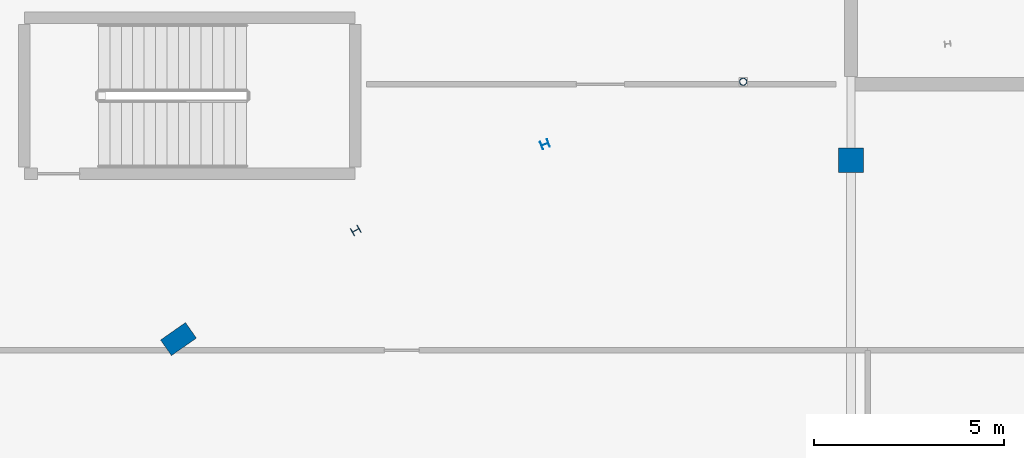
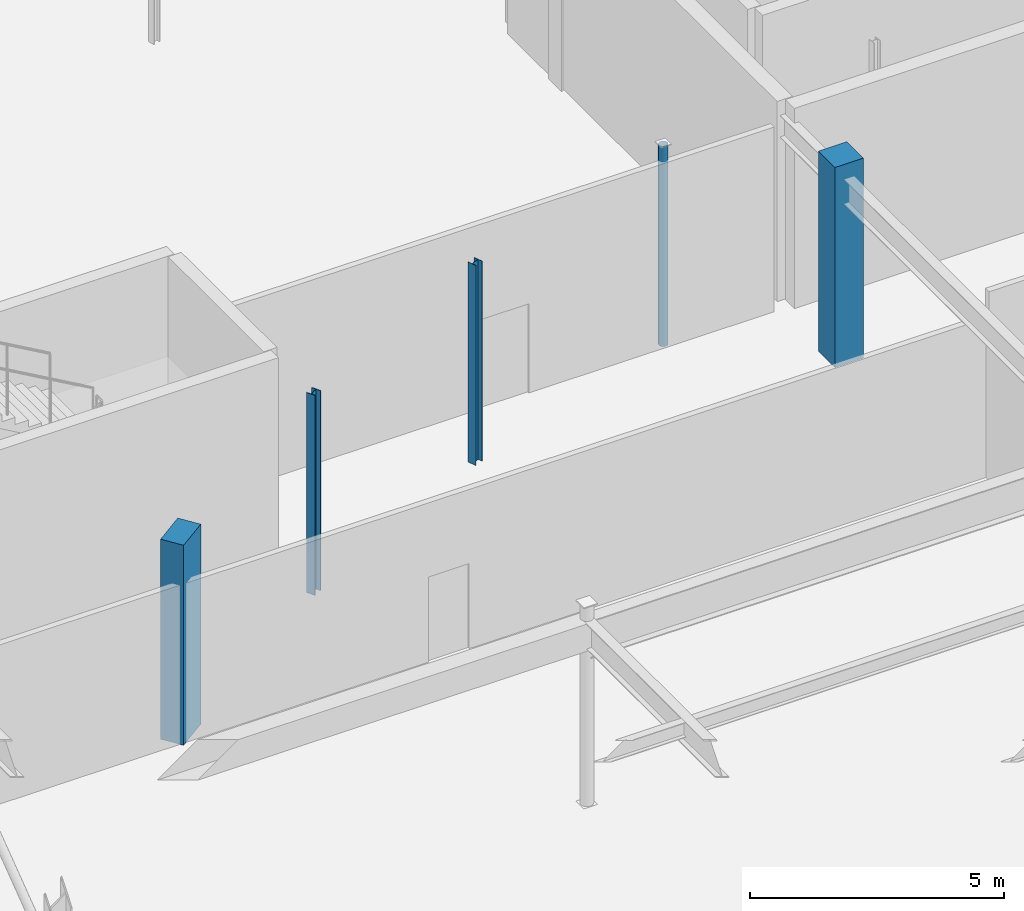
# One storey, part 30 of 226: 5 columns.
"""IFC4 building model written with IfcOpenShell, lengths in metres."""

from ifc_helpers import new_model, si_unit, direction, frame, origin, origin_2d, place, context, subcontext, project, spatial, rectangle, hollow_circle, i_section, extrude, material, material_profile, profile_set, type_object, element, save


model = new_model("IFC4")

# Units and contexts
model_context = context("Model", 3, precision=1e-05, world=origin(), true_north=direction((0.0, 1.0)))
body_context = subcontext(model_context, "Body", "Model", "MODEL_VIEW")
ifc_project = project(units=[si_unit("LENGTHUNIT", "METRE"), si_unit("AREAUNIT", "SQUARE_METRE"), si_unit("VOLUMEUNIT", "CUBIC_METRE"), si_unit("PLANEANGLEUNIT", "RADIAN"), si_unit("MASSUNIT", "GRAM", prefix="KILO")], contexts=[model_context])

# Site, building, storey
site_placement = place(None, origin())
site = spatial("IfcSite", under=ifc_project, at=site_placement, CompositionType="ELEMENT")
building_placement = place(site_placement, origin())
building = spatial("IfcBuilding", under=site, at=building_placement, Name="Tarnwether General Hospital", CompositionType="ELEMENT")
storey_placement = place(building_placement, frame((0.0, 0.0, 4.800048828125)))
storey = spatial("IfcBuildingStorey", under=building, at=storey_placement, Name="L01", CompositionType="ELEMENT", Elevation=4.800048828125)

# Columns
ifc_material_1 = material(Name="Concrete 50 MPa", Category="concrete")
ifc_material_profile_1 = material_profile(ifc_material_1, rectangle(XDim=0.5, YDim=0.800048828125, at=origin_2d()), Name="RC-PIL-500x800")
ifc_profile_set_1 = profile_set([ifc_material_profile_1], Name="Concrete 50 MPa")
column_type_1 = type_object("IfcColumnType", Name="COL-23", PredefinedType="PILASTER", material=ifc_profile_set_1)
column_1_placement = place(storey_placement, frame((66.303955078125, 99.697998046875, 0.0), z_axis=(0.0, 0.0, 1.0), x_axis=(-0.573576436351, 0.819152044289, 0.0)))
element("IfcColumn", 1, at=column_1_placement, inside=storey, type_object=column_type_1, Name="Column COLG-L01-6630_9970", PredefinedType="PILASTER", context=body_context, shape_type="SweptSolid", body=[
    extrude(rectangle(XDim=0.5, YDim=0.800048828125, at=origin_2d()), origin(), (0.0, 0.0, 1.0), 4.800048828125),
])
ifc_material_2 = material(Name="Steel Grade 350 (350 MPa)", Category="steel")
ifc_material_profile_2 = material_profile(ifc_material_2, i_section(OverallWidth=0.205078125, OverallDepth=0.2099609375, WebThickness=0.00927734375, FlangeThickness=0.01416015625, at=origin_2d()), Name="200UC59.5")
ifc_profile_set_2 = profile_set([ifc_material_profile_2], Name="Steel Grade 350 (350 MPa)")
column_type_2 = type_object("IfcColumnType", Name="COL-25", PredefinedType="COLUMN", material=ifc_profile_set_2)
column_2_placement = place(storey_placement, frame((70.968017578125, 102.555908203125, 0.0), z_axis=(0.0, 0.0, 1.0), x_axis=(-0.469471562786, 0.882947592859, 0.0)))
element("IfcColumn", 2, at=column_2_placement, inside=storey, type_object=column_type_2, Name="Column COLG-L01-7097_10256", PredefinedType="COLUMN", context=body_context, shape_type="SweptSolid", body=[
    extrude(i_section(OverallWidth=0.205078125, OverallDepth=0.2099609375, WebThickness=0.00927734375, FlangeThickness=0.01416015625, at=origin_2d()), origin(), (0.0, 0.0, 1.0), 4.800048828125),
])
ifc_material_3 = material(Name="Steel Grade 350 (350 MPa)", Category="steel")
ifc_material_profile_3 = material_profile(ifc_material_3, i_section(OverallWidth=0.202880859375, OverallDepth=0.202880859375, WebThickness=0.00732421875, FlangeThickness=0.010986328125, at=origin_2d()), Name="200UC46.2")
ifc_profile_set_3 = profile_set([ifc_material_profile_3], Name="Steel Grade 350 (350 MPa)")
column_type_3 = type_object("IfcColumnType", Name="COL-27", PredefinedType="COLUMN", material=ifc_profile_set_3)
column_3_placement = place(storey_placement, frame((75.945068359375, 104.823974609375, 0.0), z_axis=(0.0, 0.0, 1.0), x_axis=(-0.358367949545, 0.933580426497, 0.0)))
element("IfcColumn", 3, at=column_3_placement, inside=storey, type_object=column_type_3, Name="Column COLG-L01-7594_10482", PredefinedType="COLUMN", context=body_context, shape_type="SweptSolid", body=[
    extrude(i_section(OverallWidth=0.202880859375, OverallDepth=0.202880859375, WebThickness=0.00732421875, FlangeThickness=0.010986328125, at=origin_2d()), origin(), (0.0, 0.0, 1.0), 4.800048828125),
])
ifc_material_4 = material(Name="Steel Grade C350L0 (350 MPa)", Category="steel")
ifc_material_profile_4 = material_profile(ifc_material_4, hollow_circle(Radius=0.096923828125, WallThickness=0.008056640625, at=origin_2d()), Name="CHS193.7x8.0")
ifc_profile_set_4 = profile_set([ifc_material_profile_4], Name="Steel Grade C350L0 (350 MPa)")
column_type_4 = type_object("IfcColumnType", Name="COL-29", PredefinedType="COLUMN", material=ifc_profile_set_4)
column_4_placement = place(storey_placement, frame((81.162109375, 106.468994140625, 0.0), z_axis=(0.0, 0.0, 1.0), x_axis=(-0.2419218956, 0.970295726276, 0.0)))
element("IfcColumn", 4, at=column_4_placement, inside=storey, type_object=column_type_4, Name="Column COLG-L01-8116_10647", PredefinedType="COLUMN", context=body_context, shape_type="SweptSolid", body=[
    extrude(hollow_circle(Radius=0.096923828125, WallThickness=0.008056640625, at=origin_2d()), origin(), (0.0, 0.0, 1.0), 4.800048828125),
])
ifc_material_5 = material(Name="Concrete 50 MPa", Category="concrete")
ifc_material_profile_5 = material_profile(ifc_material_5, rectangle(XDim=0.64990234375, YDim=0.64990234375, at=origin_2d()), Name="RC-COL-650x650")
ifc_profile_set_5 = profile_set([ifc_material_profile_5], Name="Concrete 50 MPa")
column_type_5 = type_object("IfcColumnType", Name="COL-35", PredefinedType="COLUMN", material=ifc_profile_set_5)
column_5_placement = place(storey_placement, frame((84.0, 104.39990234375, 0.0), z_axis=(0.0, 0.0, 1.0), x_axis=(0.0, 1.0, 0.0)))
element("IfcColumn", 5, at=column_5_placement, inside=storey, type_object=column_type_5, Name="Column COLG-L01-8400_10440", PredefinedType="COLUMN", context=body_context, shape_type="SweptSolid", body=[
    extrude(rectangle(XDim=0.64990234375, YDim=0.64990234375, at=origin_2d()), origin(), (0.0, 0.0, 1.0), 4.800048828125),
])

save(model, "model.ifc")
